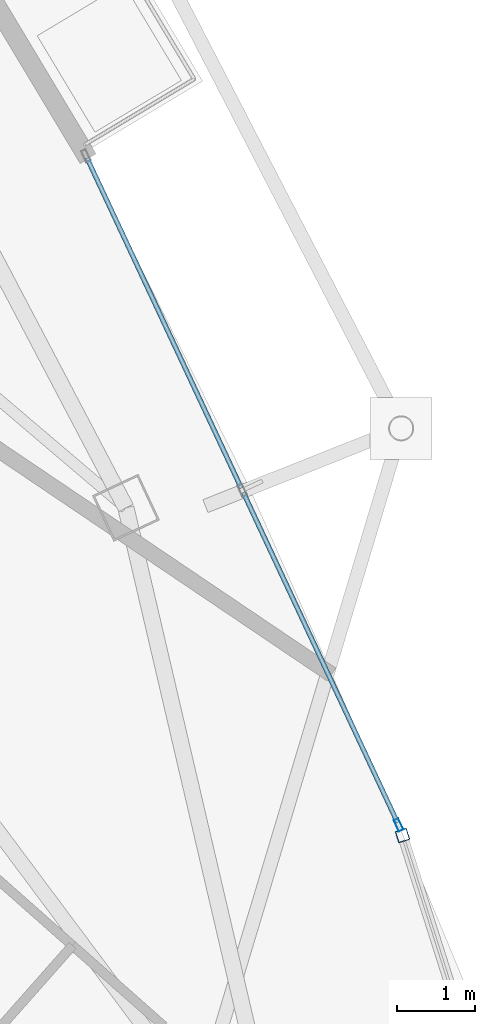
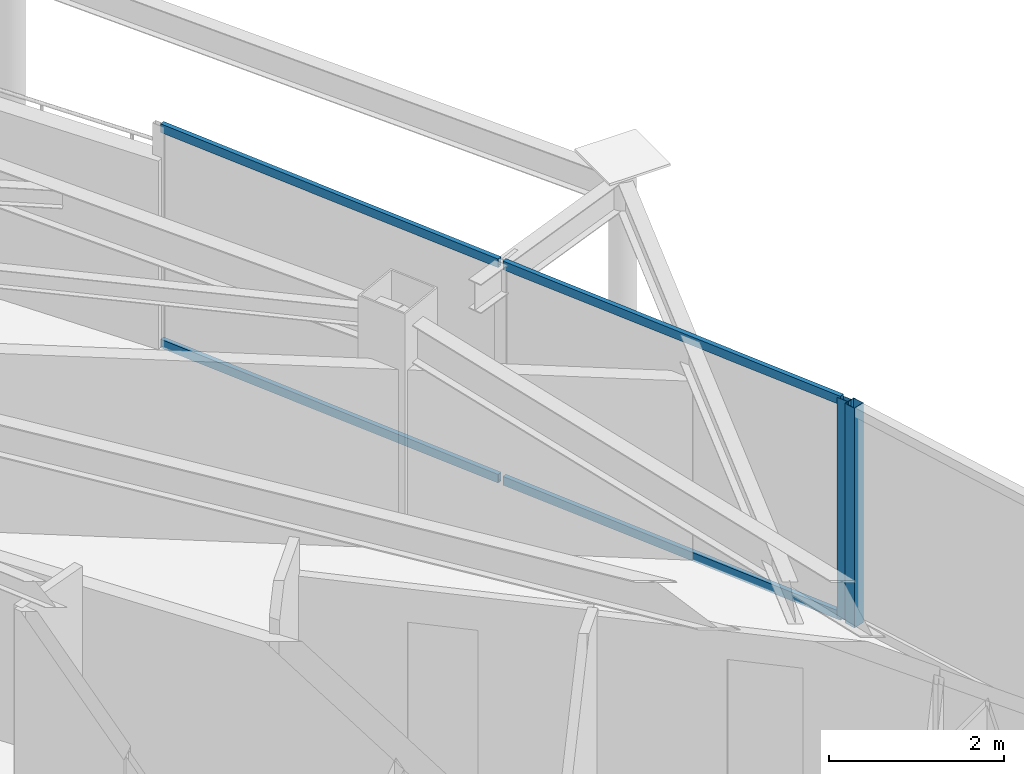
# One storey, part 16 of 29: 6 members, 2 elements without a shape of their own.
"""IFC4 building model written with IfcOpenShell, lengths in metres."""

from ifc_helpers import new_model, si_unit, direction, frame, origin, origin_2d, place, context, subcontext, project, spatial, hollow_rectangle, extrude, material, layer, layer_set, material_profile, profile_set, type_object, element, aggregate, save


model = new_model("IFC4")

# Units and contexts
model_context = context("Model", 3, precision=1e-05, world=origin(), true_north=direction((0.0, 1.0)))
body_context = subcontext(model_context, "Body", "Model", "MODEL_VIEW")
ifc_project = project(units=[si_unit("LENGTHUNIT", "METRE"), si_unit("AREAUNIT", "SQUARE_METRE"), si_unit("VOLUMEUNIT", "CUBIC_METRE"), si_unit("PLANEANGLEUNIT", "RADIAN"), si_unit("MASSUNIT", "GRAM", prefix="KILO")], contexts=[model_context])

# Site, building, storey
site_placement = place(None, origin())
site = spatial("IfcSite", under=ifc_project, at=site_placement, CompositionType="ELEMENT")
building_placement = place(site_placement, origin())
building = spatial("IfcBuilding", under=site, at=building_placement, Name="Orvanel Arch Residences", CompositionType="ELEMENT")
storey_placement = place(building_placement, frame((0.0, 0.0, 256.85009765625)))
storey = spatial("IfcBuildingStorey", under=building, at=storey_placement, Name="L73", CompositionType="ELEMENT", Elevation=256.85009765625)

# Curtain wall, member
ifc_material = material(Name="Bronze-anodised aluminium AA6063-T6", Category="aluminium")
ifc_layer_1 = layer(ifc_material, 0.18994140625)
ifc_layer_set_1 = layer_set([ifc_layer_1], Name="Bronze-anodised aluminium AA6063-T6")
curtain_wall_type_1 = type_object("IfcCurtainWallType", Name="CW5-CRN-SYS", PredefinedType="NOTDEFINED", material=ifc_layer_set_1)
curtain_wall_1_placement = place(storey_placement, origin())
curtain_wall_1 = element("IfcCurtainWall", 1, at=curtain_wall_1_placement, inside=storey, type_object=curtain_wall_type_1, Name="L73 CW5-CRN-SYS Unitised Curtain Wall", PredefinedType="NOTDEFINED")
ifc_material_profile_1 = material_profile(ifc_material, hollow_rectangle(XDim=0.14990234375, YDim=0.14990234375, WallThickness=0.0048828125, at=origin_2d()), Name="ALU150x150x5")
ifc_profile_set_1 = profile_set([ifc_material_profile_1], Name="Bronze-anodised aluminium AA6063-T6")
member_type_1 = type_object("IfcMemberType", Name="MUL-150x150", PredefinedType="MULLION", material=ifc_profile_set_1)
member_1_placement = place(storey_placement, frame((53.20166015625, 15.41357421875, 0.0), z_axis=(0.0, 0.0, 1.0), x_axis=(-0.953089092544, -0.302689910097, 0.0)))
member_1 = element("IfcMember", 2, at=member_1_placement, type_object=member_type_1, Name="CW-S5 mullion 2", PredefinedType="MULLION", context=body_context, shape_type="SweptSolid", body=[
    extrude(hollow_rectangle(XDim=0.14990234375, YDim=0.14990234375, WallThickness=0.0048828125, at=origin_2d()), origin(), (0.0, 0.0, 1.0), 3.059814453125),
])
aggregate(curtain_wall_1, [member_1])

# Curtain wall, members
ifc_layer_2 = layer(ifc_material, 0.175048828125)
ifc_layer_set_2 = layer_set([ifc_layer_2], Name="Bronze-anodised aluminium AA6063-T6")
curtain_wall_type_2 = type_object("IfcCurtainWallType", Name="CW4-HI-SYS", PredefinedType="NOTDEFINED", material=ifc_layer_set_2)
curtain_wall_2_placement = place(storey_placement, origin())
curtain_wall_2 = element("IfcCurtainWall", 3, at=curtain_wall_2_placement, inside=storey, type_object=curtain_wall_type_2, Name="L73 CW4-HI-SYS Unitised Curtain Wall", PredefinedType="NOTDEFINED")
ifc_material_profile_2 = material_profile(ifc_material, hollow_rectangle(XDim=0.06494140625, YDim=0.159912109375, WallThickness=0.00390625, at=origin_2d()), Name="ALU160x65x4")
ifc_profile_set_2 = profile_set([ifc_material_profile_2], Name="Bronze-anodised aluminium AA6063-T6")
member_type_2 = type_object("IfcMemberType", Name="MUL-160x65", PredefinedType="MULLION", material=ifc_profile_set_2)
member_2_placement = place(storey_placement, frame((53.151123046875, 15.551513671875, 0.0), z_axis=(0.0, 0.0, 1.0), x_axis=(-0.905975305707, -0.423330539235, 0.0)))
member_2 = element("IfcMember", 4, at=member_2_placement, type_object=member_type_2, Name="CW-S4 mullion 1", PredefinedType="MULLION", context=body_context, shape_type="SweptSolid", body=[
    extrude(hollow_rectangle(XDim=0.06494140625, YDim=0.159912109375, WallThickness=0.00390625, at=origin_2d()), origin(), (0.0, 0.0, 1.0), 3.059814453125),
])
ifc_material_profile_3 = material_profile(ifc_material, hollow_rectangle(XDim=0.06005859375, YDim=0.1201171875, WallThickness=0.00341796875, at=origin_2d()), Name="ALU120x60x3.5")
ifc_profile_set_3 = profile_set([ifc_material_profile_3], Name="Bronze-anodised aluminium AA6063-T6")
member_type_3 = type_object("IfcMemberType", Name="TRN-120x60", PredefinedType="USERDEFINED", material=ifc_profile_set_3)
member_3_placement = place(storey_placement, frame((53.137451171875, 15.580810546875, 0.02978515625), z_axis=(-0.423323424592, 0.905978630097, 0.0), x_axis=(-0.905978630097, -0.423323424592, 0.0)))
member_3 = element("IfcMember", 5, at=member_3_placement, type_object=member_type_3, Name="CW-S4 transom 1.1", ObjectType="TRANSOM", PredefinedType="USERDEFINED", context=body_context, shape_type="SweptSolid", body=[
    extrude(hollow_rectangle(XDim=0.06005859375, YDim=0.1201171875, WallThickness=0.00341796875, at=origin_2d()), origin(), (0.0, 0.0, 1.0), 4.69921875),
])
member_4_placement = place(storey_placement, frame((53.137451171875, 15.580810546875, 3.02978515625), z_axis=(-0.423323424592, 0.905978630097, 0.0), x_axis=(-0.905978630097, -0.423323424592, 0.0)))
member_4 = element("IfcMember", 6, at=member_4_placement, type_object=member_type_3, Name="CW-S4 transom 1.2", ObjectType="TRANSOM", PredefinedType="USERDEFINED", context=body_context, shape_type="SweptSolid", body=[
    extrude(hollow_rectangle(XDim=0.06005859375, YDim=0.1201171875, WallThickness=0.00341796875, at=origin_2d()), origin(), (0.0, 0.0, 1.0), 4.69921875),
])
member_5_placement = place(storey_placement, frame((51.120849609375, 19.89697265625, 0.02978515625), z_axis=(-0.423343351033, 0.905969319092, 0.0), x_axis=(-0.905969319092, -0.423343351033, 0.0)))
member_5 = element("IfcMember", 7, at=member_5_placement, type_object=member_type_3, Name="CW-S4 transom 2.1", ObjectType="TRANSOM", PredefinedType="USERDEFINED", context=body_context, shape_type="SweptSolid", body=[
    extrude(hollow_rectangle(XDim=0.06005859375, YDim=0.1201171875, WallThickness=0.00341796875, at=origin_2d()), origin(), (0.0, 0.0, 1.0), 4.698974609375),
])
member_6_placement = place(storey_placement, frame((51.120849609375, 19.89697265625, 3.02978515625), z_axis=(-0.423343351033, 0.905969319092, 0.0), x_axis=(-0.905969319092, -0.423343351033, 0.0)))
member_6 = element("IfcMember", 8, at=member_6_placement, type_object=member_type_3, Name="CW-S4 transom 2.2", ObjectType="TRANSOM", PredefinedType="USERDEFINED", context=body_context, shape_type="SweptSolid", body=[
    extrude(hollow_rectangle(XDim=0.06005859375, YDim=0.1201171875, WallThickness=0.00341796875, at=origin_2d()), origin(), (0.0, 0.0, 1.0), 4.698974609375),
])
aggregate(curtain_wall_2, [member_2, member_3, member_4, member_5, member_6])

save(model, "model.ifc")
